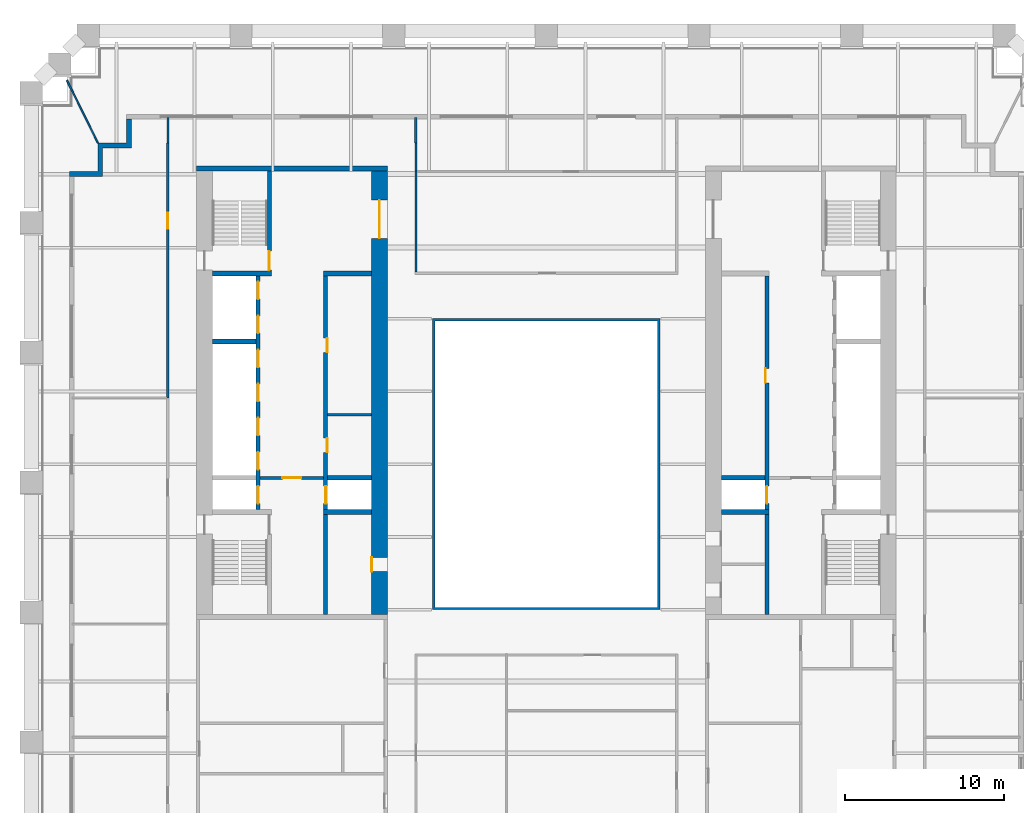
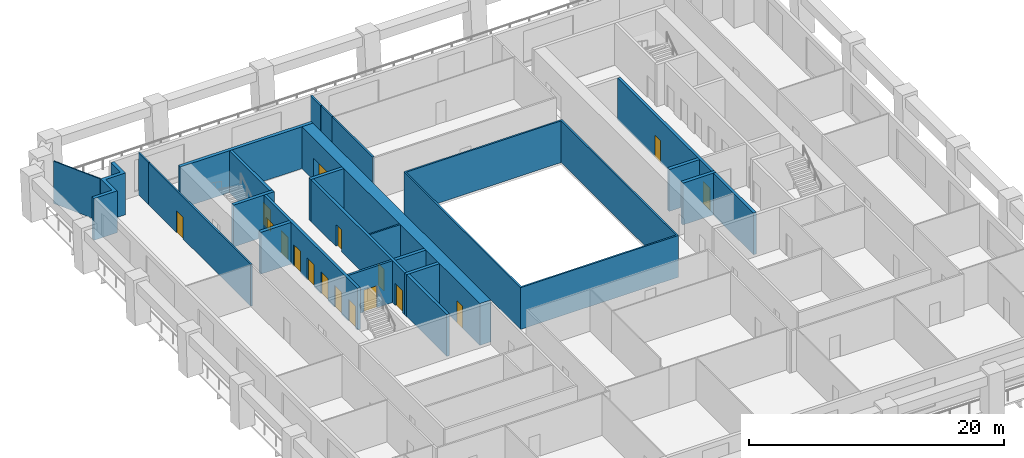
# One storey, part 6 of 9: 23 walls, 17 doors, 17 openings.
"""IFC4 building model written with IfcOpenShell, lengths in metres."""

from ifc_helpers import new_model, si_unit, direction, frame, frame_2d, origin, place, context, subcontext, project, spatial, polyline, rectangle, outline, extrude, material, layer, layer_set, type_object, element, fill, save


model = new_model("IFC4")

# Units and contexts
model_context = context("Model", 3, precision=1e-05, world=origin(), true_north=direction((0.0, 1.0)))
body_context = subcontext(model_context, "Body", "Model", "MODEL_VIEW")
ifc_project = project(units=[si_unit("LENGTHUNIT", "METRE"), si_unit("AREAUNIT", "SQUARE_METRE"), si_unit("VOLUMEUNIT", "CUBIC_METRE"), si_unit("PLANEANGLEUNIT", "RADIAN"), si_unit("MASSUNIT", "GRAM", prefix="KILO")], contexts=[model_context])

# Site, building, storey
site_placement = place(None, origin())
site = spatial("IfcSite", under=ifc_project, at=site_placement, CompositionType="ELEMENT")
building_placement = place(site_placement, origin())
building = spatial("IfcBuilding", under=site, at=building_placement, Name="Ogive Exchange Tower", CompositionType="ELEMENT")
storey_placement = place(building_placement, frame((0.0, 0.0, 60.60009765625)))
storey = spatial("IfcBuildingStorey", under=building, at=storey_placement, Name="L12", CompositionType="ELEMENT", Elevation=60.60009765625)

# Walls
ifc_material_1 = material(Name="Gypsum board partition")
ifc_layer_1 = layer(ifc_material_1, 0.14990234375)
ifc_layer_set_1 = layer_set([ifc_layer_1], Name="Core room partition 150 gypsum")
wall_type_1 = type_object("IfcWallType", Name="Core room partition 150 gypsum", PredefinedType="PARTITIONING", material=ifc_layer_set_1)
wall_1_placement = place(storey_placement, frame((-13.75, 10.10009765625, 0.0), z_axis=(0.0, 0.0, 1.0), x_axis=(1.0, 0.0, 0.0)))
element("IfcWall", 1, at=wall_1_placement, inside=storey, type_object=wall_type_1, Name="W row B bay partition 1-1", PredefinedType="PARTITIONING", context=body_context, shape_type="SweptSolid", body=[
    extrude(rectangle(XDim=2.75, YDim=0.14990234375, at=frame_2d((1.375, 0.0))), origin(), (0.0, 0.0, 1.0), 4.0),
])
ifc_layer_2 = layer(ifc_material_1, 0.300048828125)
ifc_layer_set_2 = layer_set([ifc_layer_2], Name="Core room partition 300 gypsum")
wall_type_2 = type_object("IfcWallType", Name="Core room partition 300 gypsum", PredefinedType="PARTITIONING", material=ifc_layer_set_2)
wall_2_placement = place(storey_placement, frame((-14.0, 19.0, 0.0), z_axis=(0.0, 0.0, 1.0), x_axis=(1.0, 0.0, 0.0)))
element("IfcWall", 2, at=wall_2_placement, inside=storey, type_object=wall_type_2, Name="W row B room end wall 7", PredefinedType="PARTITIONING", context=body_context, shape_type="SweptSolid", body=[
    extrude(rectangle(XDim=3.0, YDim=0.300048828125, at=frame_2d((1.5, 0.0))), origin(), (0.0, 0.0, 1.0), 4.0),
])

# Wall, opening, door
ifc_material_2 = material(Name="Fire partition EI 60 150")
ifc_layer_3 = layer(ifc_material_2, 0.14990234375)
ifc_layer_set_3 = layer_set([ifc_layer_3], Name="Fire partition EI 60 150")
wall_type_3 = type_object("IfcWallType", Name="Fire partition EI 60 150", PredefinedType="PARTITIONING", material=ifc_layer_set_3)
wall_3_placement = place(storey_placement, frame((-23.800048828125, 11.169921875, 0.0), z_axis=(0.0, 0.0, 1.0), x_axis=(0.0, 1.0, 0.0)))
wall_3 = element("IfcWall", 3, at=wall_3_placement, inside=storey, type_object=wall_type_3, Name="L12-PWL-012", PredefinedType="PARTITIONING", context=body_context, shape_type="SweptSolid", body=[
    extrude(rectangle(XDim=16.030029296875, YDim=0.14990234375, at=frame_2d((8.01513671875, 0.0))), origin(), (0.0, 0.0, 1.0), 4.0),
])
opening_1_placement = place(wall_3_placement, frame((10.6298828125, 0.0, 0.0)))
opening_1 = element("IfcOpeningElement", 4, at=opening_1_placement, cuts=wall_3, Name="Opening L12-I04", PredefinedType="OPENING", context=body_context, shape_type="SweptSolid", body=[
    extrude(rectangle(XDim=1.0, YDim=2.10009765625, at=frame_2d((0.5, 1.050048828125))), frame((0.0, 0.0849609375, 0.0), z_axis=(0.0, -1.0, 0.0), x_axis=(1.0, 0.0, 0.0)), (0.0, 0.0, 1.0), 0.169921875),
])
ifc_material_3 = material(Name="Fire door FD 30S 1000 x 2100")
door_type_1 = type_object("IfcDoorType", Name="Fire door FD 30S 1000 x 2100", OperationType="NOTDEFINED", PredefinedType="DOOR", material=ifc_material_3)
door_1_placement = place(opening_1_placement, origin())
door_1 = element("IfcDoor", 5, at=door_1_placement, inside=storey, type_object=door_type_1, Name="L12-IDR-004", ObjectType="DT3", OperationType="SINGLE_SWING_LEFT", OverallHeight=2.10009765625, OverallWidth=1.0, PredefinedType="DOOR", context=body_context, shape_type="SweptSolid", body=[
    extrude(rectangle(XDim=1.0, YDim=2.10009765625, at=frame_2d((0.5, 1.050048828125))), frame((0.0, 0.02490234375, 0.0), z_axis=(0.0, -1.0, 0.0), x_axis=(1.0, 0.0, 0.0)), (0.0, 0.0, 1.0), 0.050048828125),
])
fill(opening_1, door_1)

# Walls
for number, where, z_axis, x_axis, name in (
    (6, (-23.7900390625, 27.199951171875, 0.0), (0.0, 0.0, 1.0), (0.0, 1.0, 0.0), "L12-PWL-013"),
    (7, (-8.2099609375, 28.800048828125, 0.0), (0.0, 0.0, 1.0), (0.0, -1.0, 0.0), "L12-PWL-018"),
):
    element("IfcWall", number, at=place(storey_placement, frame(where, z_axis=z_axis, x_axis=x_axis)), inside=storey, type_object=wall_type_3, Name=name, PredefinedType="PARTITIONING", context=body_context, shape_type="SweptSolid", body=[
        extrude(rectangle(XDim=1.60009765625, YDim=0.14990234375, at=frame_2d((0.800048828125, 0.0))), origin(), (0.0, 0.0, 1.0), 4.0),
    ])
wall_4_placement = place(storey_placement, frame((-8.199951171875, 25.449951171875, 0.0), z_axis=(0.0, 0.0, 1.0), x_axis=(0.0, -1.0, 0.0)))
element("IfcWall", 8, at=wall_4_placement, inside=storey, type_object=wall_type_3, Name="L12-PWL-023", PredefinedType="PARTITIONING", context=body_context, shape_type="SweptSolid", body=[
    extrude(rectangle(XDim=6.375, YDim=0.14990234375, at=frame_2d((3.1875, 0.0))), origin(), (0.0, 0.0, 1.0), 4.0),
])
wall_5_placement = place(storey_placement, frame((-8.199951171875, 27.199951171875, 0.0), z_axis=(0.0, 0.0, 1.0), x_axis=(0.0, -1.0, 0.0)))
element("IfcWall", 9, at=wall_5_placement, inside=storey, type_object=wall_type_3, Name="L12-PWL-025", PredefinedType="PARTITIONING", context=body_context, shape_type="SweptSolid", body=[
    extrude(rectangle(XDim=1.75, YDim=0.14990234375, at=frame_2d((0.875, 0.0))), origin(), (0.0, 0.0, 1.0), 4.0),
])
ifc_material_4 = material(Name="Fire-resisting glass in steel frame", Category="steel")
ifc_layer_4 = layer(ifc_material_4, 0.14990234375)
ifc_layer_set_4 = layer_set([ifc_layer_4], Name="Fire-rated glazed wall 150")
wall_type_4 = type_object("IfcWallType", Name="Fire-rated glazed wall 150", PredefinedType="STANDARD", material=ifc_layer_set_4)
wall_6_placement = place(storey_placement, origin())
element("IfcWall", 10, at=wall_6_placement, inside=storey, type_object=wall_type_4, Name="Nave enclosure wall", PredefinedType="STANDARD", context=body_context, shape_type="SweptSolid", body=[
    extrude(outline(polyline([(-7.14990234375, -2.14990234375), (7.14990234375, -2.14990234375), (7.14990234375, 16.14990234375), (-7.14990234375, 16.14990234375), (-7.14990234375, -2.14990234375)]), holes=[polyline([(-7.0, -2.0), (-7.0, 16.0), (7.0, 16.0), (7.0, -2.0), (-7.0, -2.0)])]), origin(), (0.0, 0.0, 1.0), 4.0),
])
ifc_material_5 = material(Name="Precast concrete C40/50", Category="concrete")
ifc_layer_5 = layer(ifc_material_5, 0.300048828125)
ifc_layer_set_5 = layer_set([ifc_layer_5], Name="Limestone-faced wall 300")
wall_type_5 = type_object("IfcWallType", Name="Limestone-faced wall 300", PredefinedType="STANDARD", material=ifc_layer_set_5)
wall_7_placement = place(storey_placement, origin())
element("IfcWall", 11, at=wall_7_placement, inside=storey, type_object=wall_type_5, Name="External corner wall C3", PredefinedType="STANDARD", context=body_context, shape_type="SweptSolid", body=[
    extrude(outline(polyline([(-28.199951171875, 25.39990234375), (-28.199951171875, 27.199951171875), (-26.39990234375, 27.199951171875), (-26.39990234375, 28.699951171875), (-26.10009765625, 28.699951171875), (-26.10009765625, 26.89990234375), (-27.89990234375, 26.89990234375), (-27.89990234375, 25.10009765625), (-30.0, 25.10009765625), (-30.0, 25.39990234375), (-28.199951171875, 25.39990234375)])), origin(), (0.0, 0.0, 1.0), 4.0),
])
ifc_material_6 = material(Name="Laminated safety glass in steel frame", Category="steel")
ifc_layer_6 = layer(ifc_material_6, 0.10009765625)
ifc_layer_set_6 = layer_set([ifc_layer_6], Name="Loggia end screen 100")
wall_type_6 = type_object("IfcWallType", Name="Loggia end screen 100", PredefinedType="STANDARD", material=ifc_layer_set_6)
wall_8_placement = place(storey_placement, frame((-28.199951171875, 27.199951171875, -0.050048828125), z_axis=(0.0, 0.0, 1.0), x_axis=(-0.443174643924, 0.896435293249, 0.0)))
element("IfcWall", 12, at=wall_8_placement, inside=storey, type_object=wall_type_6, Name="Loggia end screen C3", PredefinedType="STANDARD", context=body_context, shape_type="SweptSolid", body=[
    extrude(rectangle(XDim=4.405517578125, YDim=0.10009765625, at=frame_2d((2.20263671875, 0.0))), origin(), (0.0, 0.0, 1.0), 4.050048828125),
])

# Wall, openings, doors
ifc_material_7 = material(Name="Concrete C70/85", Category="concrete")
ifc_layer_7 = layer(ifc_material_7, 1.0)
ifc_layer_set_7 = layer_set([ifc_layer_7], Name="RC core wall 1000 C70/85")
wall_type_7 = type_object("IfcWallType", Name="RC core wall 1000 C70/85", PredefinedType="SHEAR", material=ifc_layer_set_7)
wall_9_placement = place(storey_placement, frame((-10.5, -2.449951171875, 0.0), z_axis=(0.0, 0.0, 1.0), x_axis=(0.0, 1.0, 0.0)))
wall_9 = element("IfcWall", 13, at=wall_9_placement, inside=storey, type_object=wall_type_7, Name="W inner wall", PredefinedType="SHEAR", context=body_context, shape_type="SweptSolid", body=[
    extrude(rectangle(XDim=27.89990234375, YDim=1.0, at=frame_2d((13.949951171875, 0.0))), origin(), (0.0, 0.0, 1.0), 4.0),
])
opening_2_placement = place(wall_9_placement, frame((23.64990234375, 0.0, 0.0)))
opening_2 = element("IfcOpeningElement", 14, at=opening_2_placement, cuts=wall_9, Name="Opening L12-C12", PredefinedType="OPENING", context=body_context, shape_type="SweptSolid", body=[
    extrude(rectangle(XDim=2.39990234375, YDim=2.10009765625, at=frame_2d((1.199951171875, 1.050048828125))), frame((0.0, 0.510009765625, 0.0), z_axis=(0.0, -1.0, 0.0), x_axis=(1.0, 0.0, 0.0)), (0.0, 0.0, 1.0), 1.02001953125),
])
opening_3_placement = place(wall_9_placement, frame((2.699951171875, 0.0, 0.0)))
opening_3 = element("IfcOpeningElement", 15, at=opening_3_placement, cuts=wall_9, Name="Opening L12-C17", PredefinedType="OPENING", context=body_context, shape_type="SweptSolid", body=[
    extrude(rectangle(XDim=0.89990234375, YDim=2.10009765625, at=frame_2d((0.449951171875, 1.050048828125))), frame((0.0, 0.510009765625, 0.0), z_axis=(0.0, -1.0, 0.0), x_axis=(1.0, 0.0, 0.0)), (0.0, 0.0, 1.0), 1.02001953125),
])
ifc_material_8 = material(Name="Timber fire door", Category="wood")
door_type_2 = type_object("IfcDoorType", Name="Core room door FD30S 900 x 2100", OperationType="NOTDEFINED", PredefinedType="DOOR", material=ifc_material_8)
door_2_placement = place(opening_3_placement, origin())
door_2 = element("IfcDoor", 16, at=door_2_placement, inside=storey, type_object=door_type_2, Name="Core room door", ObjectType="CD6", OperationType="SINGLE_SWING_RIGHT", OverallHeight=2.10009765625, OverallWidth=0.89990234375, PredefinedType="DOOR", context=body_context, shape_type="SweptSolid", body=[
    extrude(rectangle(XDim=0.89990234375, YDim=2.10009765625, at=frame_2d((0.449951171875, 1.050048828125))), frame((0.0, 0.5, 0.0), z_axis=(0.0, -1.0, 0.0), x_axis=(1.0, 0.0, 0.0)), (0.0, 0.0, 1.0), 0.050048828125),
])
fill(opening_3, door_2)
ifc_material_9 = material(Name="Glazed steel fire door", Category="steel")
door_type_3 = type_object("IfcDoorType", Name="Lift lobby double door FD60 2400 x 2100", OperationType="DOUBLE_DOOR_SINGLE_SWING", PredefinedType="DOOR", material=ifc_material_9)
door_3_placement = place(opening_2_placement, origin())
door_3 = element("IfcDoor", 17, at=door_3_placement, inside=storey, type_object=door_type_3, Name="Lift lobby double door", ObjectType="CD4", OperationType="DOUBLE_DOOR_SINGLE_SWING", OverallHeight=2.10009765625, OverallWidth=2.39990234375, PredefinedType="DOOR", context=body_context, shape_type="SweptSolid", body=[
    extrude(rectangle(XDim=2.39990234375, YDim=2.10009765625, at=frame_2d((1.199951171875, 1.050048828125))), frame((0.0, 0.02490234375, 0.0), z_axis=(0.0, -1.0, 0.0), x_axis=(1.0, 0.0, 0.0)), (0.0, 0.0, 1.0), 0.050048828125),
])
fill(opening_2, door_3)

# Wall, opening, door
ifc_layer_8 = layer(ifc_material_7, 0.199951171875)
ifc_layer_set_8 = layer_set([ifc_layer_8], Name="RC core wall 200 C70/85")
wall_type_8 = type_object("IfcWallType", Name="RC core wall 200 C70/85", PredefinedType="SHEAR", material=ifc_layer_set_8)
wall_10_placement = place(storey_placement, frame((-18.0, 6.142822265625, 0.0), z_axis=(0.0, 0.0, 1.0), x_axis=(1.0, 0.0, 0.0)))
wall_10 = element("IfcWall", 18, at=wall_10_placement, inside=storey, type_object=wall_type_8, Name="W firefighting lobby wall", PredefinedType="SHEAR", context=body_context, shape_type="SweptSolid", body=[
    extrude(rectangle(XDim=4.0, YDim=0.199951171875, at=frame_2d((2.0, 0.0))), origin(), (0.0, 0.0, 1.0), 4.0),
])
opening_4_placement = place(wall_10_placement, frame((1.39990234375, 0.0, 0.0)))
opening_4 = element("IfcOpeningElement", 19, at=opening_4_placement, cuts=wall_10, Name="Opening L12-C11", PredefinedType="OPENING", context=body_context, shape_type="SweptSolid", body=[
    extrude(rectangle(XDim=1.199951171875, YDim=2.10009765625, at=frame_2d((0.60009765625, 1.050048828125))), frame((0.0, 0.10986328125, 0.0), z_axis=(0.0, -1.0, 0.0), x_axis=(1.0, 0.0, 0.0)), (0.0, 0.0, 1.0), 0.219970703125),
])
ifc_material_10 = material(Name="Steel fire door", Category="steel")
door_type_4 = type_object("IfcDoorType", Name="Firefighting lobby door FD60 1200 x 2100", OperationType="NOTDEFINED", PredefinedType="DOOR", material=ifc_material_10)
door_4_placement = place(opening_4_placement, frame((1.199951171875, 0.0, 0.0), z_axis=(0.0, 0.0, 1.0), x_axis=(-1.0, 0.0, 0.0)))
door_4 = element("IfcDoor", 20, at=door_4_placement, inside=storey, type_object=door_type_4, Name="Firefighting lobby door", ObjectType="CD3", OperationType="SINGLE_SWING_RIGHT", OverallHeight=2.10009765625, OverallWidth=1.199951171875, PredefinedType="DOOR", context=body_context, shape_type="SweptSolid", body=[
    extrude(rectangle(XDim=1.199951171875, YDim=2.10009765625, at=frame_2d((0.60009765625, 1.050048828125))), frame((0.0, 0.02490234375, 0.0), z_axis=(0.0, -1.0, 0.0), x_axis=(1.0, 0.0, 0.0)), (0.0, 0.0, 1.0), 0.050048828125),
])
fill(opening_4, door_4)

ifc_layer_9 = layer(ifc_material_7, 0.25)
ifc_layer_set_9 = layer_set([ifc_layer_9], Name="RC core wall 250 C70/85")
wall_type_9 = type_object("IfcWallType", Name="RC core wall 250 C70/85", PredefinedType="SHEAR", material=ifc_layer_set_9)
wall_11_placement = place(storey_placement, frame((-17.425048828125, 19.14990234375, 0.0), z_axis=(0.0, 0.0, 1.0), x_axis=(0.0, 1.0, 0.0)))
wall_11 = element("IfcWall", 21, at=wall_11_placement, inside=storey, type_object=wall_type_9, Name="W stair N front wall", PredefinedType="SHEAR", context=body_context, shape_type="SweptSolid", body=[
    extrude(rectangle(XDim=6.300048828125, YDim=0.25, at=frame_2d((3.14990234375, 0.0))), origin(), (0.0, 0.0, 1.0), 4.0),
])
opening_5_placement = place(wall_11_placement, frame((0.050048828125, 0.0, 0.0)))
opening_5 = element("IfcOpeningElement", 22, at=opening_5_placement, cuts=wall_11, Name="Opening L12-C15", PredefinedType="OPENING", context=body_context, shape_type="SweptSolid", body=[
    extrude(rectangle(XDim=1.199951171875, YDim=2.10009765625, at=frame_2d((0.60009765625, 1.050048828125))), frame((0.0, 0.135009765625, 0.0), z_axis=(0.0, -1.0, 0.0), x_axis=(1.0, 0.0, 0.0)), (0.0, 0.0, 1.0), 0.27001953125),
])
door_type_5 = type_object("IfcDoorType", Name="Stair door FD90 1200 x 2100", OperationType="NOTDEFINED", PredefinedType="DOOR", material=ifc_material_10)
door_5_placement = place(opening_5_placement, origin())
door_5 = element("IfcDoor", 23, at=door_5_placement, inside=storey, type_object=door_type_5, Name="Stair door", ObjectType="CD5", OperationType="SINGLE_SWING_RIGHT", OverallHeight=2.10009765625, OverallWidth=1.199951171875, PredefinedType="DOOR", context=body_context, shape_type="SweptSolid", body=[
    extrude(rectangle(XDim=1.199951171875, YDim=2.10009765625, at=frame_2d((0.60009765625, 1.050048828125))), frame((0.0, 0.02490234375, 0.0), z_axis=(0.0, -1.0, 0.0), x_axis=(1.0, 0.0, 0.0)), (0.0, 0.0, 1.0), 0.050048828125),
])
fill(opening_5, door_5)

# Wall, openings, doors
wall_12_placement = place(storey_placement, frame((-18.125, 4.14990234375, 0.0), z_axis=(0.0, 0.0, 1.0), x_axis=(0.0, 1.0, 0.0)))
wall_12 = element("IfcWall", 24, at=wall_12_placement, inside=storey, type_object=wall_type_9, Name="W row A front wall", PredefinedType="SHEAR", context=body_context, shape_type="SweptSolid", body=[
    extrude(rectangle(XDim=14.7001953125, YDim=0.25, at=frame_2d((7.35009765625, 0.0))), origin(), (0.0, 0.0, 1.0), 4.0),
])
opening_6_placement = place(wall_12_placement, frame((0.371337890625, 0.0, 0.0)))
opening_6 = element("IfcOpeningElement", 25, at=opening_6_placement, cuts=wall_12, Name="Opening L12-C01", PredefinedType="OPENING", context=body_context, shape_type="SweptSolid", body=[
    extrude(rectangle(XDim=1.10009765625, YDim=2.10009765625, at=frame_2d((0.550048828125, 1.050048828125))), frame((0.0, 0.135009765625, 0.0), z_axis=(0.0, -1.0, 0.0), x_axis=(1.0, 0.0, 0.0)), (0.0, 0.0, 1.0), 0.27001953125),
])
opening_7_placement = place(wall_12_placement, frame((2.514404296875, 0.0, 0.0)))
opening_7 = element("IfcOpeningElement", 26, at=opening_7_placement, cuts=wall_12, Name="Opening L12-C02", PredefinedType="OPENING", context=body_context, shape_type="SweptSolid", body=[
    extrude(rectangle(XDim=1.10009765625, YDim=2.10009765625, at=frame_2d((0.550048828125, 1.050048828125))), frame((0.0, 0.135009765625, 0.0), z_axis=(0.0, -1.0, 0.0), x_axis=(1.0, 0.0, 0.0)), (0.0, 0.0, 1.0), 0.27001953125),
])
opening_8_placement = place(wall_12_placement, frame((4.656982421875, 0.0, 0.0)))
opening_8 = element("IfcOpeningElement", 27, at=opening_8_placement, cuts=wall_12, Name="Opening L12-C03", PredefinedType="OPENING", context=body_context, shape_type="SweptSolid", body=[
    extrude(rectangle(XDim=1.10009765625, YDim=2.10009765625, at=frame_2d((0.550048828125, 1.050048828125))), frame((0.0, 0.135009765625, 0.0), z_axis=(0.0, -1.0, 0.0), x_axis=(1.0, 0.0, 0.0)), (0.0, 0.0, 1.0), 0.27001953125),
])
opening_9_placement = place(wall_12_placement, frame((6.800048828125, 0.0, 0.0)))
opening_9 = element("IfcOpeningElement", 28, at=opening_9_placement, cuts=wall_12, Name="Opening L12-C04", PredefinedType="OPENING", context=body_context, shape_type="SweptSolid", body=[
    extrude(rectangle(XDim=1.10009765625, YDim=2.10009765625, at=frame_2d((0.550048828125, 1.050048828125))), frame((0.0, 0.135009765625, 0.0), z_axis=(0.0, -1.0, 0.0), x_axis=(1.0, 0.0, 0.0)), (0.0, 0.0, 1.0), 0.27001953125),
])
opening_10_placement = place(wall_12_placement, frame((8.94287109375, 0.0, 0.0)))
opening_10 = element("IfcOpeningElement", 29, at=opening_10_placement, cuts=wall_12, Name="Opening L12-C05", PredefinedType="OPENING", context=body_context, shape_type="SweptSolid", body=[
    extrude(rectangle(XDim=1.10009765625, YDim=2.10009765625, at=frame_2d((0.550048828125, 1.050048828125))), frame((0.0, 0.135009765625, 0.0), z_axis=(0.0, -1.0, 0.0), x_axis=(1.0, 0.0, 0.0)), (0.0, 0.0, 1.0), 0.27001953125),
])
opening_11_placement = place(wall_12_placement, frame((11.085693359375, 0.0, 0.0)))
opening_11 = element("IfcOpeningElement", 30, at=opening_11_placement, cuts=wall_12, Name="Opening L12-C06", PredefinedType="OPENING", context=body_context, shape_type="SweptSolid", body=[
    extrude(rectangle(XDim=1.10009765625, YDim=2.10009765625, at=frame_2d((0.550048828125, 1.050048828125))), frame((0.0, 0.135009765625, 0.0), z_axis=(0.0, -1.0, 0.0), x_axis=(1.0, 0.0, 0.0)), (0.0, 0.0, 1.0), 0.27001953125),
])
opening_12_placement = place(wall_12_placement, frame((13.228515625, 0.0, 0.0)))
opening_12 = element("IfcOpeningElement", 31, at=opening_12_placement, cuts=wall_12, Name="Opening L12-C07", PredefinedType="OPENING", context=body_context, shape_type="SweptSolid", body=[
    extrude(rectangle(XDim=1.10009765625, YDim=2.10009765625, at=frame_2d((0.550048828125, 1.050048828125))), frame((0.0, 0.135009765625, 0.0), z_axis=(0.0, -1.0, 0.0), x_axis=(1.0, 0.0, 0.0)), (0.0, 0.0, 1.0), 0.27001953125),
])
ifc_material_11 = material(Name="Stainless steel", Category="steel")
door_type_6 = type_object("IfcDoorType", Name="Lift landing door FD90 1100 x 2100", OperationType="SLIDING_TO_LEFT", PredefinedType="DOOR", material=ifc_material_11)
door_6_placement = place(opening_6_placement, origin())
door_6 = element("IfcDoor", 32, at=door_6_placement, inside=storey, type_object=door_type_6, Name="Lift landing door FF1", ObjectType="LD", OperationType="SLIDING_TO_LEFT", OverallHeight=2.10009765625, OverallWidth=1.10009765625, PredefinedType="DOOR", context=body_context, shape_type="SweptSolid", body=[
    extrude(rectangle(XDim=1.10009765625, YDim=2.10009765625, at=frame_2d((0.550048828125, 1.050048828125))), frame((0.0, 0.02490234375, 0.0), z_axis=(0.0, -1.0, 0.0), x_axis=(1.0, 0.0, 0.0)), (0.0, 0.0, 1.0), 0.050048828125),
])
fill(opening_6, door_6)
door_7_placement = place(opening_7_placement, origin())
door_7 = element("IfcDoor", 33, at=door_7_placement, inside=storey, type_object=door_type_6, Name="Lift landing door W-L1", ObjectType="LD", OperationType="SLIDING_TO_LEFT", OverallHeight=2.10009765625, OverallWidth=1.10009765625, PredefinedType="DOOR", context=body_context, shape_type="SweptSolid", body=[
    extrude(rectangle(XDim=1.10009765625, YDim=2.10009765625, at=frame_2d((0.550048828125, 1.050048828125))), frame((0.0, 0.02490234375, 0.0), z_axis=(0.0, -1.0, 0.0), x_axis=(1.0, 0.0, 0.0)), (0.0, 0.0, 1.0), 0.050048828125),
])
fill(opening_7, door_7)
door_8_placement = place(opening_8_placement, origin())
door_8 = element("IfcDoor", 34, at=door_8_placement, inside=storey, type_object=door_type_6, Name="Lift landing door W-L2", ObjectType="LD", OperationType="SLIDING_TO_LEFT", OverallHeight=2.10009765625, OverallWidth=1.10009765625, PredefinedType="DOOR", context=body_context, shape_type="SweptSolid", body=[
    extrude(rectangle(XDim=1.10009765625, YDim=2.10009765625, at=frame_2d((0.550048828125, 1.050048828125))), frame((0.0, 0.02490234375, 0.0), z_axis=(0.0, -1.0, 0.0), x_axis=(1.0, 0.0, 0.0)), (0.0, 0.0, 1.0), 0.050048828125),
])
fill(opening_8, door_8)
door_9_placement = place(opening_9_placement, origin())
door_9 = element("IfcDoor", 35, at=door_9_placement, inside=storey, type_object=door_type_6, Name="Lift landing door W-L3", ObjectType="LD", OperationType="SLIDING_TO_LEFT", OverallHeight=2.10009765625, OverallWidth=1.10009765625, PredefinedType="DOOR", context=body_context, shape_type="SweptSolid", body=[
    extrude(rectangle(XDim=1.10009765625, YDim=2.10009765625, at=frame_2d((0.550048828125, 1.050048828125))), frame((0.0, 0.02490234375, 0.0), z_axis=(0.0, -1.0, 0.0), x_axis=(1.0, 0.0, 0.0)), (0.0, 0.0, 1.0), 0.050048828125),
])
fill(opening_9, door_9)
door_10_placement = place(opening_10_placement, origin())
door_10 = element("IfcDoor", 36, at=door_10_placement, inside=storey, type_object=door_type_6, Name="Lift landing door W-L4", ObjectType="LD", OperationType="SLIDING_TO_LEFT", OverallHeight=2.10009765625, OverallWidth=1.10009765625, PredefinedType="DOOR", context=body_context, shape_type="SweptSolid", body=[
    extrude(rectangle(XDim=1.10009765625, YDim=2.10009765625, at=frame_2d((0.550048828125, 1.050048828125))), frame((0.0, 0.02490234375, 0.0), z_axis=(0.0, -1.0, 0.0), x_axis=(1.0, 0.0, 0.0)), (0.0, 0.0, 1.0), 0.050048828125),
])
fill(opening_10, door_10)
door_11_placement = place(opening_11_placement, origin())
door_11 = element("IfcDoor", 37, at=door_11_placement, inside=storey, type_object=door_type_6, Name="Lift landing door W-SH1", ObjectType="LD", OperationType="SLIDING_TO_LEFT", OverallHeight=2.10009765625, OverallWidth=1.10009765625, PredefinedType="DOOR", context=body_context, shape_type="SweptSolid", body=[
    extrude(rectangle(XDim=1.10009765625, YDim=2.10009765625, at=frame_2d((0.550048828125, 1.050048828125))), frame((0.0, 0.02490234375, 0.0), z_axis=(0.0, -1.0, 0.0), x_axis=(1.0, 0.0, 0.0)), (0.0, 0.0, 1.0), 0.050048828125),
])
fill(opening_11, door_11)
door_12_placement = place(opening_12_placement, origin())
door_12 = element("IfcDoor", 38, at=door_12_placement, inside=storey, type_object=door_type_6, Name="Lift landing door W-SH2", ObjectType="LD", OperationType="SLIDING_TO_LEFT", OverallHeight=2.10009765625, OverallWidth=1.10009765625, PredefinedType="DOOR", context=body_context, shape_type="SweptSolid", body=[
    extrude(rectangle(XDim=1.10009765625, YDim=2.10009765625, at=frame_2d((0.550048828125, 1.050048828125))), frame((0.0, 0.02490234375, 0.0), z_axis=(0.0, -1.0, 0.0), x_axis=(1.0, 0.0, 0.0)), (0.0, 0.0, 1.0), 0.050048828125),
])
fill(opening_12, door_12)

wall_13_placement = place(storey_placement, frame((-13.875, -2.449951171875, 0.0), z_axis=(0.0, 0.0, 1.0), x_axis=(0.0, 1.0, 0.0)))
wall_13 = element("IfcWall", 39, at=wall_13_placement, inside=storey, type_object=wall_type_9, Name="W row B front wall", PredefinedType="SHEAR", context=body_context, shape_type="SweptSolid", body=[
    extrude(rectangle(XDim=21.300048828125, YDim=0.25, at=frame_2d((10.64990234375, 0.0))), origin(), (0.0, 0.0, 1.0), 4.0),
])
opening_13_placement = place(wall_13_placement, frame((10.1962890625, 0.0, 0.0)))
opening_13 = element("IfcOpeningElement", 40, at=opening_13_placement, cuts=wall_13, Name="Opening L12-C08", PredefinedType="OPENING", context=body_context, shape_type="SweptSolid", body=[
    extrude(rectangle(XDim=0.89990234375, YDim=2.10009765625, at=frame_2d((0.449951171875, 1.050048828125))), frame((0.0, 0.135009765625, 0.0), z_axis=(0.0, -1.0, 0.0), x_axis=(1.0, 0.0, 0.0)), (0.0, 0.0, 1.0), 0.27001953125),
])
opening_14_placement = place(wall_13_placement, frame((16.47509765625, 0.0, 0.0)))
opening_14 = element("IfcOpeningElement", 41, at=opening_14_placement, cuts=wall_13, Name="Opening L12-C09", PredefinedType="OPENING", context=body_context, shape_type="SweptSolid", body=[
    extrude(rectangle(XDim=0.89990234375, YDim=2.10009765625, at=frame_2d((0.449951171875, 1.050048828125))), frame((0.0, 0.135009765625, 0.0), z_axis=(0.0, -1.0, 0.0), x_axis=(1.0, 0.0, 0.0)), (0.0, 0.0, 1.0), 0.27001953125),
])
opening_15_placement = place(wall_13_placement, frame((6.971435546875, 0.0, 0.0)))
opening_15 = element("IfcOpeningElement", 42, at=opening_15_placement, cuts=wall_13, Name="Opening L12-C10", PredefinedType="OPENING", context=body_context, shape_type="SweptSolid", body=[
    extrude(rectangle(XDim=1.10009765625, YDim=2.10009765625, at=frame_2d((0.550048828125, 1.050048828125))), frame((0.0, 0.135009765625, 0.0), z_axis=(0.0, -1.0, 0.0), x_axis=(1.0, 0.0, 0.0)), (0.0, 0.0, 1.0), 0.27001953125),
])
door_13_placement = place(opening_15_placement, origin())
door_13 = element("IfcDoor", 43, at=door_13_placement, inside=storey, type_object=door_type_6, Name="Lift landing door SV1", ObjectType="LD", OperationType="SLIDING_TO_LEFT", OverallHeight=2.10009765625, OverallWidth=1.10009765625, PredefinedType="DOOR", context=body_context, shape_type="SweptSolid", body=[
    extrude(rectangle(XDim=1.10009765625, YDim=2.10009765625, at=frame_2d((0.550048828125, 1.050048828125))), frame((0.0, 0.02490234375, 0.0), z_axis=(0.0, -1.0, 0.0), x_axis=(1.0, 0.0, 0.0)), (0.0, 0.0, 1.0), 0.050048828125),
])
fill(opening_15, door_13)
door_type_7 = type_object("IfcDoorType", Name="Riser door FD60 900 x 2100", OperationType="NOTDEFINED", PredefinedType="DOOR", material=ifc_material_10)
door_14_placement = place(opening_13_placement, frame((0.89990234375, -0.2001953125, 0.0), z_axis=(0.0, 0.0, 1.0), x_axis=(-1.0, 0.0, 0.0)))
door_14 = element("IfcDoor", 44, at=door_14_placement, inside=storey, type_object=door_type_7, Name="Riser door", ObjectType="CD2", OperationType="SINGLE_SWING_LEFT", OverallHeight=2.10009765625, OverallWidth=0.89990234375, PredefinedType="DOOR", context=body_context, shape_type="SweptSolid", body=[
    extrude(rectangle(XDim=0.89990234375, YDim=2.10009765625, at=frame_2d((0.449951171875, 1.050048828125))), frame((0.0, -0.0751953125, 0.0), z_axis=(0.0, -1.0, 0.0), x_axis=(1.0, 0.0, 0.0)), (0.0, 0.0, 1.0), 0.050048828125),
])
fill(opening_13, door_14)
door_15_placement = place(opening_14_placement, frame((0.89990234375, -0.2001953125, 0.0), z_axis=(0.0, 0.0, 1.0), x_axis=(-1.0, 0.0, 0.0)))
door_15 = element("IfcDoor", 45, at=door_15_placement, inside=storey, type_object=door_type_7, Name="Riser door", ObjectType="CD2", OperationType="SINGLE_SWING_LEFT", OverallHeight=2.10009765625, OverallWidth=0.89990234375, PredefinedType="DOOR", context=body_context, shape_type="SweptSolid", body=[
    extrude(rectangle(XDim=0.89990234375, YDim=2.10009765625, at=frame_2d((0.449951171875, 1.050048828125))), frame((0.0, -0.0751953125, 0.0), z_axis=(0.0, -1.0, 0.0), x_axis=(1.0, 0.0, 0.0)), (0.0, 0.0, 1.0), 0.050048828125),
])
fill(opening_14, door_15)

wall_14_placement = place(storey_placement, frame((13.875, -2.449951171875, 0.0), z_axis=(0.0, 0.0, 1.0), x_axis=(0.0, 1.0, 0.0)))
wall_14 = element("IfcWall", 46, at=wall_14_placement, inside=storey, type_object=wall_type_9, Name="E row B front wall", PredefinedType="SHEAR", context=body_context, shape_type="SweptSolid", body=[
    extrude(rectangle(XDim=21.300048828125, YDim=0.25, at=frame_2d((10.64990234375, 0.0))), origin(), (0.0, 0.0, 1.0), 4.0),
])
opening_16_placement = place(wall_14_placement, frame((14.5712890625, 0.0, 0.0)))
opening_16 = element("IfcOpeningElement", 47, at=opening_16_placement, cuts=wall_14, Name="Opening L12-C29", PredefinedType="OPENING", context=body_context, shape_type="SweptSolid", body=[
    extrude(rectangle(XDim=0.89990234375, YDim=2.10009765625, at=frame_2d((0.449951171875, 1.050048828125))), frame((0.0, 0.135009765625, 0.0), z_axis=(0.0, -1.0, 0.0), x_axis=(1.0, 0.0, 0.0)), (0.0, 0.0, 1.0), 0.27001953125),
])
opening_17_placement = place(wall_14_placement, frame((6.971435546875, 0.0, 0.0)))
opening_17 = element("IfcOpeningElement", 48, at=opening_17_placement, cuts=wall_14, Name="Opening L12-C30", PredefinedType="OPENING", context=body_context, shape_type="SweptSolid", body=[
    extrude(rectangle(XDim=1.10009765625, YDim=2.10009765625, at=frame_2d((0.550048828125, 1.050048828125))), frame((0.0, 0.135009765625, 0.0), z_axis=(0.0, -1.0, 0.0), x_axis=(1.0, 0.0, 0.0)), (0.0, 0.0, 1.0), 0.27001953125),
])
door_16_placement = place(opening_16_placement, origin())
door_16 = element("IfcDoor", 49, at=door_16_placement, inside=storey, type_object=door_type_2, Name="Core room door", ObjectType="CD6", OperationType="SINGLE_SWING_RIGHT", OverallHeight=2.10009765625, OverallWidth=0.89990234375, PredefinedType="DOOR", context=body_context, shape_type="SweptSolid", body=[
    extrude(rectangle(XDim=0.89990234375, YDim=2.10009765625, at=frame_2d((0.449951171875, 1.050048828125))), frame((0.0, 0.125, 0.0), z_axis=(0.0, -1.0, 0.0), x_axis=(1.0, 0.0, 0.0)), (0.0, 0.0, 1.0), 0.050048828125),
])
fill(opening_16, door_16)
door_17_placement = place(opening_17_placement, origin())
door_17 = element("IfcDoor", 50, at=door_17_placement, inside=storey, type_object=door_type_6, Name="Lift landing door SV2", ObjectType="LD", OperationType="SLIDING_TO_LEFT", OverallHeight=2.10009765625, OverallWidth=1.10009765625, PredefinedType="DOOR", context=body_context, shape_type="SweptSolid", body=[
    extrude(rectangle(XDim=1.10009765625, YDim=2.10009765625, at=frame_2d((0.550048828125, 1.050048828125))), frame((0.0, 0.02490234375, 0.0), z_axis=(0.0, -1.0, 0.0), x_axis=(1.0, 0.0, 0.0)), (0.0, 0.0, 1.0), 0.050048828125),
])
fill(opening_17, door_17)

# Walls
ifc_layer_10 = layer(ifc_material_7, 0.300048828125)
ifc_layer_set_10 = layer_set([ifc_layer_10], Name="RC core wall 300 C70/85")
wall_type_10 = type_object("IfcWallType", Name="RC core wall 300 C70/85", PredefinedType="SHEAR", material=ifc_layer_set_10)
wall_15_placement = place(storey_placement, frame((-22.0, 25.60009765625, 0.0), z_axis=(0.0, 0.0, 1.0), x_axis=(1.0, 0.0, 0.0)))
element("IfcWall", 51, at=wall_15_placement, inside=storey, type_object=wall_type_10, Name="W north end wall", PredefinedType="SHEAR", context=body_context, shape_type="SweptSolid", body=[
    extrude(rectangle(XDim=12.0, YDim=0.300048828125, at=frame_2d((6.0, 0.0))), origin(), (0.0, 0.0, 1.0), 4.0),
])
wall_16_placement = place(storey_placement, frame((-21.0, 19.0, 0.0), z_axis=(0.0, 0.0, 1.0), x_axis=(1.0, 0.0, 0.0)))
element("IfcWall", 52, at=wall_16_placement, inside=storey, type_object=wall_type_10, Name="W stair N south wall", PredefinedType="SHEAR", context=body_context, shape_type="SweptSolid", body=[
    extrude(rectangle(XDim=3.699951171875, YDim=0.300048828125, at=frame_2d((1.85009765625, 0.0))), origin(), (0.0, 0.0, 1.0), 4.0),
])
wall_17_placement = place(storey_placement, frame((-21.0, 14.71435546875, 0.0), z_axis=(0.0, 0.0, 1.0), x_axis=(1.0, 0.0, 0.0)))
element("IfcWall", 53, at=wall_17_placement, inside=storey, type_object=wall_type_10, Name="W row A divider 5", PredefinedType="SHEAR", context=body_context, shape_type="SweptSolid", body=[
    extrude(rectangle(XDim=2.75, YDim=0.300048828125, at=frame_2d((1.375, 0.0))), origin(), (0.0, 0.0, 1.0), 4.0),
])
wall_18_placement = place(storey_placement, frame((-14.0, 4.0, 0.0), z_axis=(0.0, 0.0, 1.0), x_axis=(1.0, 0.0, 0.0)))
element("IfcWall", 54, at=wall_18_placement, inside=storey, type_object=wall_type_10, Name="W row B divider 0", PredefinedType="SHEAR", context=body_context, shape_type="SweptSolid", body=[
    extrude(rectangle(XDim=3.0, YDim=0.300048828125, at=frame_2d((1.5, 0.0))), origin(), (0.0, 0.0, 1.0), 4.0),
])
wall_19_placement = place(storey_placement, frame((-13.75, 6.142822265625, 0.0), z_axis=(0.0, 0.0, 1.0), x_axis=(1.0, 0.0, 0.0)))
element("IfcWall", 55, at=wall_19_placement, inside=storey, type_object=wall_type_10, Name="W row B divider 1", PredefinedType="SHEAR", context=body_context, shape_type="SweptSolid", body=[
    extrude(rectangle(XDim=2.75, YDim=0.300048828125, at=frame_2d((1.375, 0.0))), origin(), (0.0, 0.0, 1.0), 4.0),
])
wall_20_placement = place(storey_placement, frame((11.0, 4.0, 0.0), z_axis=(0.0, 0.0, 1.0), x_axis=(1.0, 0.0, 0.0)))
element("IfcWall", 56, at=wall_20_placement, inside=storey, type_object=wall_type_10, Name="E row B divider 0", PredefinedType="SHEAR", context=body_context, shape_type="SweptSolid", body=[
    extrude(rectangle(XDim=3.0, YDim=0.300048828125, at=frame_2d((1.5, 0.0))), origin(), (0.0, 0.0, 1.0), 4.0),
])
wall_21_placement = place(storey_placement, frame((11.0, 6.142822265625, 0.0), z_axis=(0.0, 0.0, 1.0), x_axis=(1.0, 0.0, 0.0)))
element("IfcWall", 57, at=wall_21_placement, inside=storey, type_object=wall_type_10, Name="E row B divider 1", PredefinedType="SHEAR", context=body_context, shape_type="SweptSolid", body=[
    extrude(rectangle(XDim=2.75, YDim=0.300048828125, at=frame_2d((1.375, 0.0))), origin(), (0.0, 0.0, 1.0), 4.0),
])

save(model, "model.ifc")
